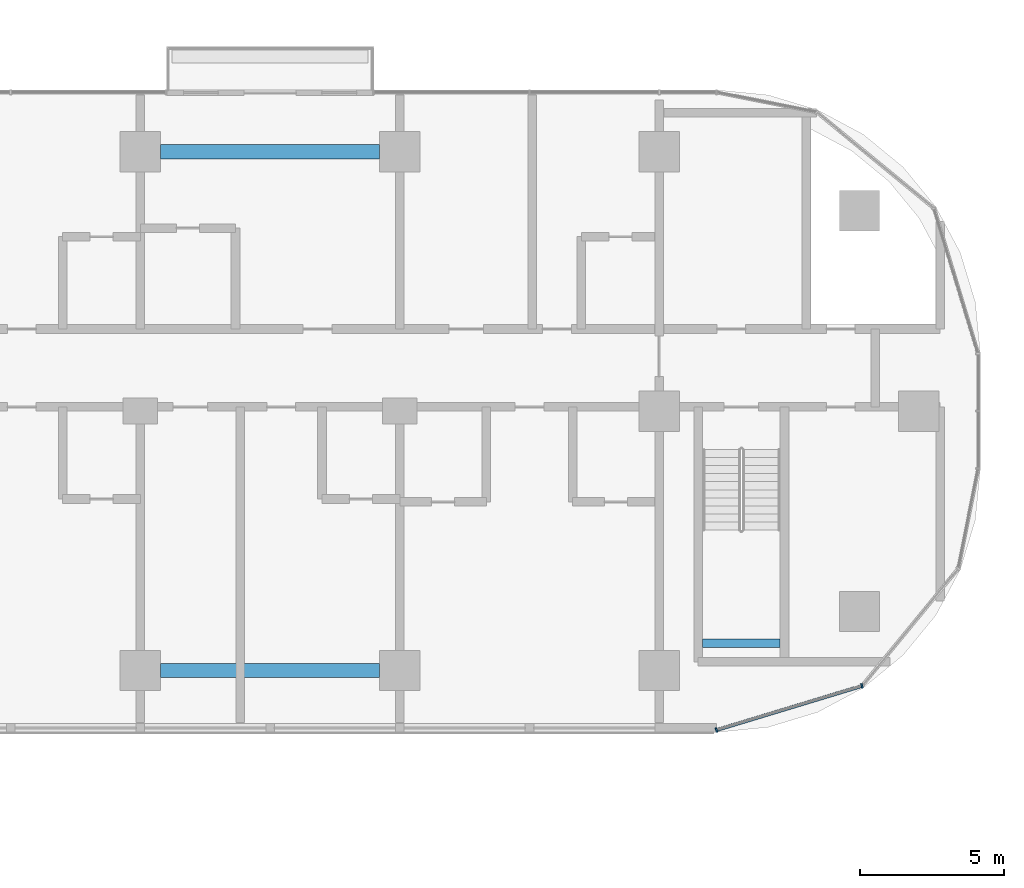
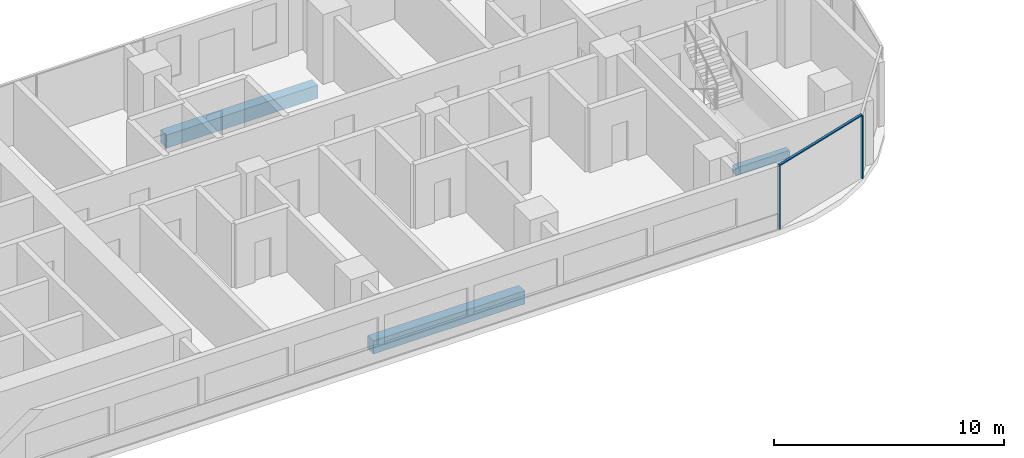
# One storey, part 3 of 32: 3 beams, 3 members, 1 element without a shape of its own.
"""IFC4 building model written with IfcOpenShell, lengths in metres."""

from ifc_helpers import new_model, si_unit, direction, frame, origin, origin_2d, place, context, subcontext, project, spatial, rectangle, extrude, material, material_profile, profile_set, type_object, element, aggregate, save


model = new_model("IFC4")

# Units and contexts
model_context = context("Model", 3, precision=1e-05, world=origin(), true_north=direction((0.0, 1.0)))
body_context = subcontext(model_context, "Body", "Model", "MODEL_VIEW")
ifc_project = project(units=[si_unit("LENGTHUNIT", "METRE"), si_unit("AREAUNIT", "SQUARE_METRE"), si_unit("VOLUMEUNIT", "CUBIC_METRE"), si_unit("PLANEANGLEUNIT", "RADIAN"), si_unit("MASSUNIT", "GRAM", prefix="KILO")], contexts=[model_context])

# Site, building, storey
site_placement = place(None, origin())
site = spatial("IfcSite", under=ifc_project, at=site_placement, CompositionType="ELEMENT")
building_placement = place(site_placement, origin())
building = spatial("IfcBuilding", under=site, at=building_placement, Name="Ogive Portal Towers", CompositionType="ELEMENT")
storey_placement = place(building_placement, frame((0.0, 0.0, 55.699951171875)))
storey = spatial("IfcBuildingStorey", under=building, at=storey_placement, Name="L12", CompositionType="ELEMENT", Elevation=55.699951171875)

# Beam
ifc_material_1 = material(Name="Concrete C40/50", Category="concrete")
ifc_material_profile_1 = material_profile(ifc_material_1, rectangle(XDim=0.300048828125, YDim=0.39990234375, at=origin_2d()), Name="RC 300x400")
ifc_profile_set_1 = profile_set([ifc_material_profile_1], Name="Concrete C40/50")
beam_type_1 = type_object("IfcBeamType", Name="BEAM RC 300x400", PredefinedType="BEAM", material=ifc_profile_set_1)
beam_placement = place(storey_placement, frame((87.0, 22.449951171875, 1.449951171875), z_axis=(1.0, 0.0, 0.0), x_axis=(0.0, 1.0, 0.0)))
element("IfcBeam", 1, at=beam_placement, inside=storey, type_object=beam_type_1, Name="Landing beam L12", PredefinedType="BEAM", context=body_context, shape_type="SweptSolid", body=[
    extrude(rectangle(XDim=0.300048828125, YDim=0.39990234375, at=origin_2d()), origin(), (0.0, 0.0, 1.0), 2.699951171875),
])

# Curtain wall, members
ifc_material_2 = material(Name="Glass, clear low-iron insulated glazing", Category="glass")
curtain_wall_type = type_object("IfcCurtainWallType", Name="CW FRONT RIBBON 4500", PredefinedType="NOTDEFINED", material=ifc_material_2)
curtain_wall_placement = place(storey_placement, origin())
curtain_wall = element("IfcCurtainWall", 2, at=curtain_wall_placement, inside=storey, type_object=curtain_wall_type, Name="A:L12:f09:cwa", PredefinedType="NOTDEFINED")
ifc_material_3 = material(Name="Aluminium 6063 anodised", Category="aluminium")
ifc_material_profile_2 = material_profile(ifc_material_3, rectangle(XDim=0.159912109375, YDim=0.06005859375, at=origin_2d()), Name="AL 60x160")
ifc_profile_set_2 = profile_set([ifc_material_profile_2], Name="Aluminium 6063 anodised")
member_type_1 = type_object("IfcMemberType", Name="CW MULLION 60x160", PredefinedType="MULLION", material=ifc_profile_set_2)
member_1_placement = place(storey_placement, frame((87.488037109375, 19.43505859375, 0.0), z_axis=(0.0, 0.0, 1.0), x_axis=(-0.290284677254, 0.956940335732, 0.0)))
member_1 = element("IfcMember", 3, at=member_1_placement, type_object=member_type_1, Name="mullion", PredefinedType="MULLION", context=body_context, shape_type="SweptSolid", body=[
    extrude(rectangle(XDim=0.159912109375, YDim=0.06005859375, at=origin_2d()), origin(), (0.0, 0.0, 1.0), 3.340087890625),
])
member_2_placement = place(storey_placement, frame((92.5341796875, 20.9658203125, 0.0), z_axis=(0.0, 0.0, 1.0), x_axis=(-0.290284677254, 0.956940335732, 0.0)))
member_2 = element("IfcMember", 4, at=member_2_placement, type_object=member_type_1, Name="mullion", PredefinedType="MULLION", context=body_context, shape_type="SweptSolid", body=[
    extrude(rectangle(XDim=0.159912109375, YDim=0.06005859375, at=origin_2d()), origin(), (0.0, 0.0, 1.0), 3.340087890625),
])
ifc_material_profile_3 = material_profile(ifc_material_3, rectangle(XDim=0.1201171875, YDim=0.06005859375, at=origin_2d()), Name="AL 120x60")
ifc_profile_set_3 = profile_set([ifc_material_profile_3], Name="Aluminium 6063 anodised")
member_type_2 = type_object("IfcMemberType", Name="CW TRANSOM 60x120", PredefinedType="USERDEFINED", material=ifc_profile_set_3)
member_3_placement = place(storey_placement, frame((87.488037109375, 19.43505859375, 3.3701171875), z_axis=(0.956938697275, 0.290290078471, 0.0), x_axis=(-0.290290078471, 0.956938697275, 0.0)))
member_3 = element("IfcMember", 5, at=member_3_placement, type_object=member_type_2, Name="transom", ObjectType="TRANSOM", PredefinedType="USERDEFINED", context=body_context, shape_type="SweptSolid", body=[
    extrude(rectangle(XDim=0.1201171875, YDim=0.06005859375, at=origin_2d()), origin(), (0.0, 0.0, 1.0), 5.273193359375),
])
aggregate(curtain_wall, [member_3, member_1, member_2])

# Beams
ifc_material_profile_4 = material_profile(ifc_material_1, rectangle(XDim=0.5, YDim=0.699951171875, at=origin_2d()), Name="RC 500x700")
ifc_profile_set_4 = profile_set([ifc_material_profile_4], Name="Concrete C40/50")
beam_type_2 = type_object("IfcBeamType", Name="SPANDREL BEAM RC 500x700", PredefinedType="BEAM", material=ifc_profile_set_4)
for number, where, z_axis, x_axis, name in (
    (6, (68.199951171875, 39.5, -0.64990234375), (1.0, 0.0, 0.0), (0.0, 1.0, 0.0), "Spandrel beam L12"),
    (7, (75.800048828125, 21.5, -0.64990234375), (-1.0, 0.0, 0.0), (0.0, -1.0, 0.0), "Spandrel beam L12"),
):
    element("IfcBeam", number, at=place(storey_placement, frame(where, z_axis=z_axis, x_axis=x_axis)), inside=storey, type_object=beam_type_2, Name=name, PredefinedType="BEAM", context=body_context, shape_type="SweptSolid", body=[
        extrude(rectangle(XDim=0.5, YDim=0.699951171875, at=origin_2d()), origin(), (0.0, 0.0, 1.0), 7.60009765625),
    ])

save(model, "model.ifc")
